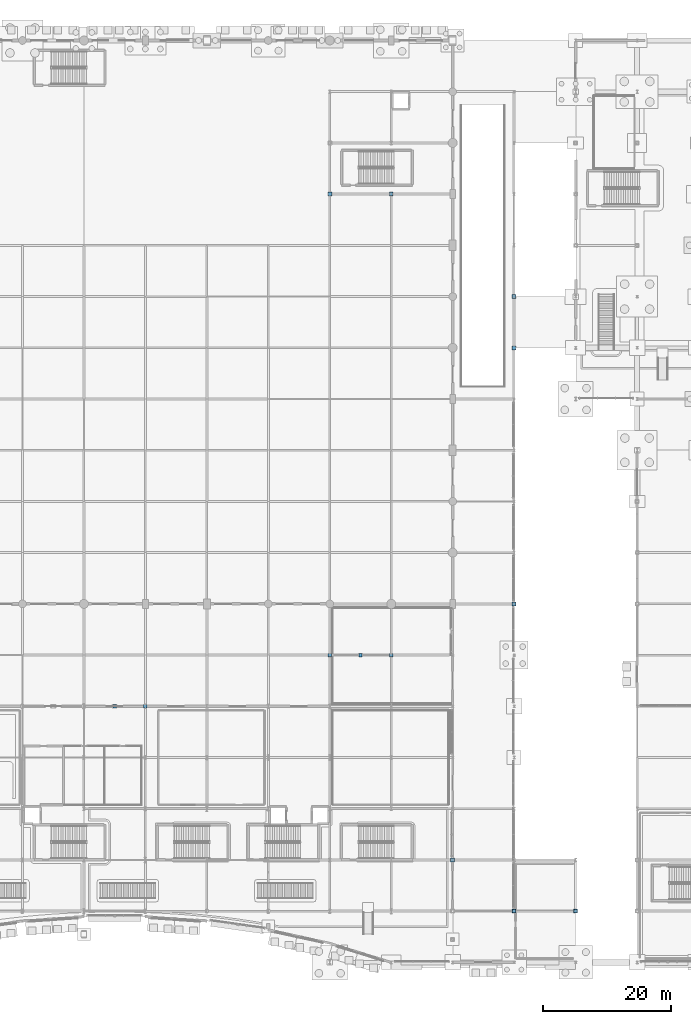
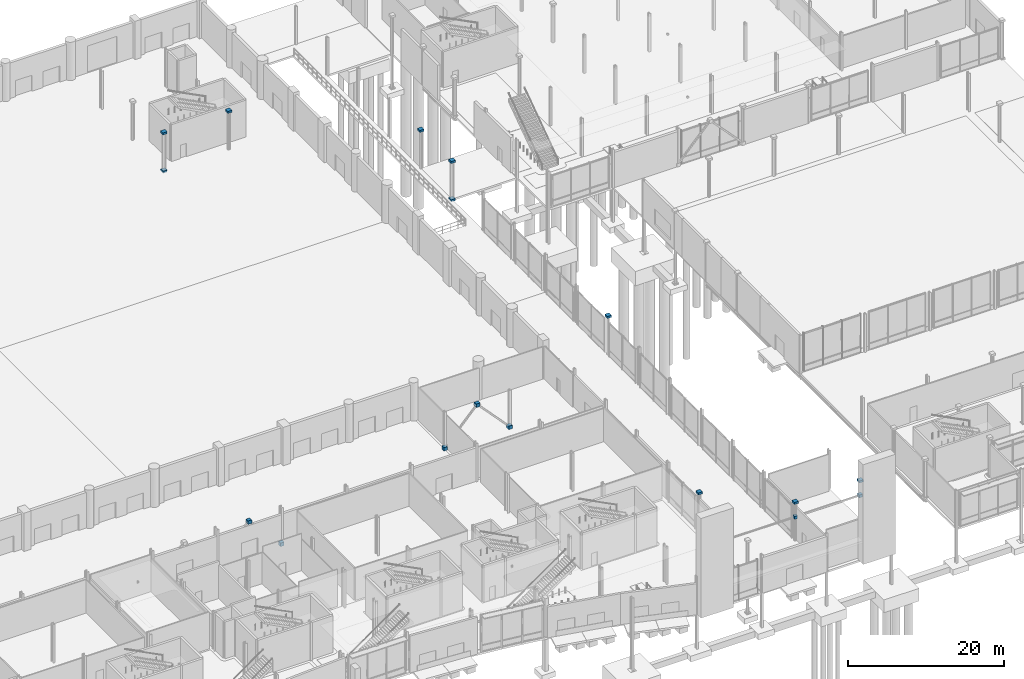
# One storey, part 95 of 124: 17 discrete accessories.
"""IFC4 building model written with IfcOpenShell, lengths in metres."""

from ifc_helpers import new_model, si_unit, direction, frame, origin, origin_2d, place, context, subcontext, project, spatial, rectangle, extrude, material, type_object, element, save


model = new_model("IFC4")

# Units and contexts
model_context = context("Model", 3, precision=1e-05, world=origin(), true_north=direction((0.0, 1.0)))
body_context = subcontext(model_context, "Body", "Model", "MODEL_VIEW")
ifc_project = project(units=[si_unit("LENGTHUNIT", "METRE"), si_unit("AREAUNIT", "SQUARE_METRE"), si_unit("VOLUMEUNIT", "CUBIC_METRE"), si_unit("PLANEANGLEUNIT", "RADIAN"), si_unit("MASSUNIT", "GRAM", prefix="KILO")], contexts=[model_context])

# Site, building, storey
site_placement = place(None, origin())
site = spatial("IfcSite", under=ifc_project, at=site_placement, CompositionType="ELEMENT")
building_placement = place(site_placement, origin())
building = spatial("IfcBuilding", under=site, at=building_placement, Name="Danafjord Basin Convention Centre", CompositionType="ELEMENT")
storey_placement = place(building_placement, origin())
storey = spatial("IfcBuildingStorey", under=building, at=storey_placement, Name="L00", CompositionType="ELEMENT", Elevation=0.0)

# Discrete accessories
ifc_material = material(Name="Steel S355", Category="steel")
discrete_accessory_type = type_object("IfcDiscreteAccessoryType", Name="ACC-SF-HUB", PredefinedType="BRACKET", material=ifc_material)
for number, where, z_axis, x_axis, name in (
    (1, (96.0, 120.0, -0.16015625), (0.0, 0.0, 1.0), (1.0, 0.0, 0.0), "Tubular steel column transition collar"),
    (2, (96.0, 120.0, 5.83984375), (0.0, 0.0, 1.0), (1.0, 0.0, 0.0), "Tubular steel column top cap plate"),
    (3, (105.60009765625, 120.0, 5.83984375), (0.0, 0.0, 1.0), (1.0, 0.0, 0.0), "Tubular steel column top cap plate"),
    (4, (115.199951171875, 16.0, 5.83984375), (0.0, 0.0, 1.0), (1.0, 0.0, 0.0), "Tubular steel column top cap plate"),
    (5, (124.800048828125, 8.0, 5.83984375), (0.0, 0.0, 1.0), (1.0, 0.0, 0.0), "Tubular steel column top cap plate"),
    (6, (124.800048828125, 56.0, 5.83984375), (0.0, 0.0, 1.0), (1.0, 0.0, 0.0), "Tubular steel column top cap plate"),
    (7, (124.800048828125, 96.0, -0.16015625), (0.0, 0.0, 1.0), (1.0, 0.0, 0.0), "Tubular steel column transition collar"),
    (8, (124.800048828125, 96.0, 5.83984375), (0.0, 0.0, 1.0), (1.0, 0.0, 0.0), "Tubular steel column top cap plate"),
    (9, (124.800048828125, 104.0, 5.83984375), (0.0, 0.0, 1.0), (1.0, 0.0, 0.0), "Tubular steel column top cap plate"),
    (10, (134.39990234375, 8.0, 5.83984375), (0.0, 0.0, 1.0), (1.0, 0.0, 0.0), "Tubular steel column top cap plate"),
):
    element("IfcDiscreteAccessory", number, at=place(storey_placement, frame(where, z_axis=z_axis, x_axis=x_axis)), inside=storey, type_object=discrete_accessory_type, Name=name, PredefinedType="BRACKET", context=body_context, shape_type="SweptSolid", body=[
        extrude(rectangle(XDim=0.6201171875, YDim=0.6201171875, at=origin_2d()), origin(), (0.0, 0.0, 1.0), 0.320068359375),
    ])
for number, where, z_axis, x_axis, name in (
    (11, (124.800048828125, 8.0, 3.445068359375), (0.0, 0.0, 1.0), (1.0, 0.0, 0.0), "Portal lintel end cap collar"),
    (12, (134.39990234375, 8.0, 3.445068359375), (0.0, 0.0, 1.0), (1.0, 0.0, 0.0), "Portal lintel end cap collar"),
):
    element("IfcDiscreteAccessory", number, at=place(storey_placement, frame(where, z_axis=z_axis, x_axis=x_axis)), inside=storey, type_object=discrete_accessory_type, Name=name, PredefinedType="BRACKET", context=body_context, shape_type="SweptSolid", body=[
        extrude(rectangle(XDim=0.4599609375, YDim=0.4599609375, at=origin_2d()), origin(), (0.0, 0.0, 1.0), 0.4599609375),
    ])
for number, where, z_axis, x_axis, name in (
    (13, (96.0, 48.0, -0.02001953125), (0.0, 0.0, 1.0), (1.0, 0.0, 0.0), "Braced frame closed steel node"),
    (14, (105.60009765625, 48.0, -0.02001953125), (0.0, 0.0, 1.0), (1.0, 0.0, 0.0), "Braced frame closed steel node"),
    (15, (100.800048828125, 48.0, 5.1298828125), (0.0, 0.0, 1.0), (1.0, 0.0, 0.0), "Braced frame closed steel node"),
    (16, (67.199951171875, 40.0, -0.02001953125), (0.0, 0.0, 1.0), (1.0, 0.0, 0.0), "Braced frame closed steel node"),
    (17, (62.39990234375, 40.0, 5.1298828125), (0.0, 0.0, 1.0), (1.0, 0.0, 0.0), "Braced frame closed steel node"),
):
    element("IfcDiscreteAccessory", number, at=place(storey_placement, frame(where, z_axis=z_axis, x_axis=x_axis)), inside=storey, type_object=discrete_accessory_type, Name=name, PredefinedType="BRACKET", context=body_context, shape_type="SweptSolid", body=[
        extrude(rectangle(XDim=0.5400390625, YDim=0.5400390625, at=origin_2d()), origin(), (0.0, 0.0, 1.0), 0.5400390625),
    ])

save(model, "model.ifc")
